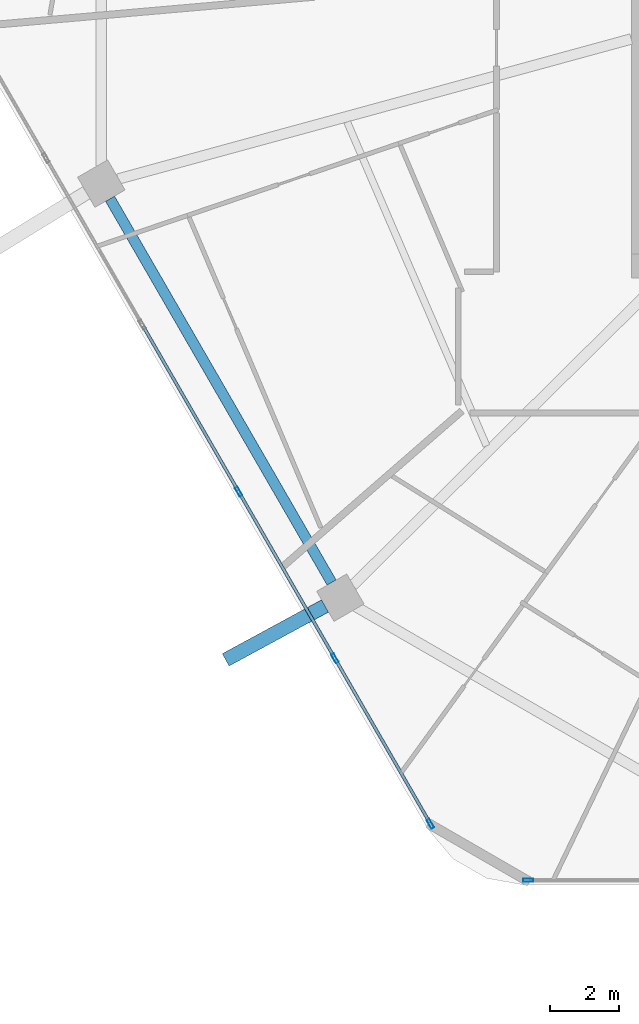
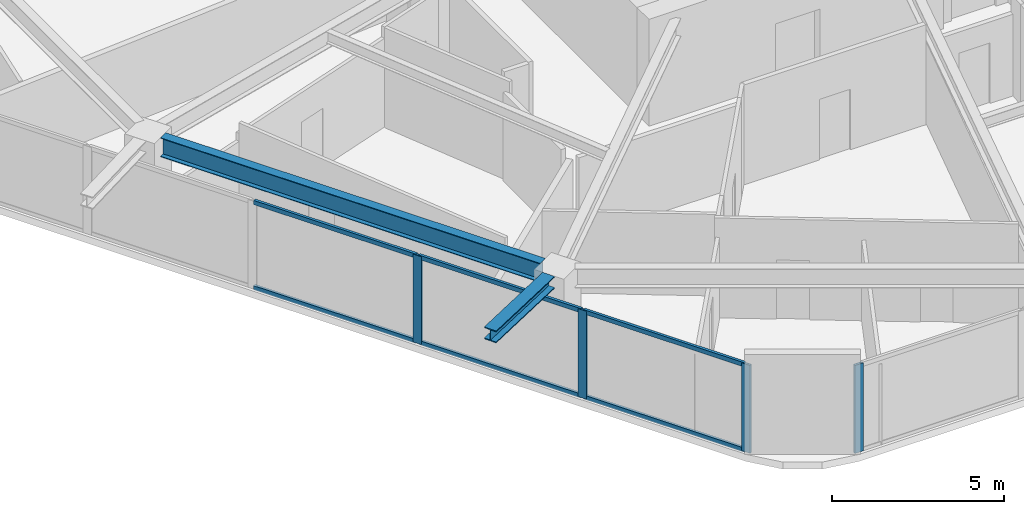
# One storey, part 2 of 26: 10 members, 2 beams, 2 elements without a shape of their own.
"""IFC4 building model written with IfcOpenShell, lengths in metres."""

from ifc_helpers import new_model, si_unit, direction, frame, origin, origin_2d, place, context, subcontext, project, spatial, hollow_rectangle, i_section, extrude, material, material_profile, profile_set, type_object, element, aggregate, save


model = new_model("IFC4")

# Units and contexts
model_context = context("Model", 3, precision=1e-05, world=origin(), true_north=direction((0.0, 1.0)))
body_context = subcontext(model_context, "Body", "Model", "MODEL_VIEW")
ifc_project = project(units=[si_unit("LENGTHUNIT", "METRE"), si_unit("AREAUNIT", "SQUARE_METRE"), si_unit("VOLUMEUNIT", "CUBIC_METRE"), si_unit("PLANEANGLEUNIT", "RADIAN"), si_unit("MASSUNIT", "GRAM", prefix="KILO")], contexts=[model_context])

# Site, building, storey
site_placement = place(None, origin())
site = spatial("IfcSite", under=ifc_project, at=site_placement, CompositionType="ELEMENT")
building_placement = place(site_placement, origin())
building = spatial("IfcBuilding", under=site, at=building_placement, Name="Zuhravey Tower", CompositionType="ELEMENT")
storey_placement = place(building_placement, frame((0.0, 0.0, 165.60009765625)))
storey = spatial("IfcBuildingStorey", under=building, at=storey_placement, Name="L41", CompositionType="ELEMENT", Elevation=165.60009765625)

# Curtain wall, member
ifc_material_1 = material(Name="Thermally broken anodised aluminium", Category="aluminium")
curtain_wall_type = type_object("IfcCurtainWallType", Name="Zone 1-2 Residential Curtain Wall CW3", PredefinedType="NOTDEFINED", material=ifc_material_1)
curtain_wall_1_placement = place(storey_placement, origin())
curtain_wall_1 = element("IfcCurtainWall", 1, at=curtain_wall_1_placement, inside=storey, type_object=curtain_wall_type, Name="L41 CW3 CW-L41-F5-1", PredefinedType="NOTDEFINED")
ifc_material_2 = material(Name="Anodised aluminium", Category="aluminium")
ifc_material_profile_1 = material_profile(ifc_material_2, hollow_rectangle(XDim=0.090087890625, YDim=0.284912109375, WallThickness=0.0048828125, at=origin_2d()), Name="ALU-RHS-90x285x5")
ifc_profile_set_1 = profile_set([ifc_material_profile_1], Name="Anodised aluminium")
member_type_1 = type_object("IfcMemberType", Name="Curtain-Wall Mullion 90x180", PredefinedType="MULLION", material=ifc_profile_set_1)
member_1_placement = place(storey_placement, frame((22.183837890625, 4.81689453125, 0.0), z_axis=(0.0, 0.0, 1.0), x_axis=(0.0, -1.0, 0.0)))
member_1 = element("IfcMember", 2, at=member_1_placement, type_object=member_type_1, Name="CW3 mullion 6", PredefinedType="MULLION", context=body_context, shape_type="SweptSolid", body=[
    extrude(hollow_rectangle(XDim=0.090087890625, YDim=0.284912109375, WallThickness=0.0048828125, at=origin_2d()), origin(), (0.0, 0.0, 1.0), 3.121826171875),
])
aggregate(curtain_wall_1, [member_1])

# Curtain wall, members
curtain_wall_2_placement = place(storey_placement, origin())
curtain_wall_2 = element("IfcCurtainWall", 3, at=curtain_wall_2_placement, inside=storey, type_object=curtain_wall_type, Name="L41 CW3 CW-L41-F4-1", PredefinedType="NOTDEFINED")
member_2_placement = place(storey_placement, frame((19.36669921875, 6.443359375, 0.0), z_axis=(0.0, 0.0, 1.0), x_axis=(-0.866025138215, -0.500000459979, 0.0)))
member_2 = element("IfcMember", 4, at=member_2_placement, type_object=member_type_1, Name="CW3 mullion 1", PredefinedType="MULLION", context=body_context, shape_type="SweptSolid", body=[
    extrude(hollow_rectangle(XDim=0.090087890625, YDim=0.284912109375, WallThickness=0.0048828125, at=origin_2d()), origin(), (0.0, 0.0, 1.0), 3.121826171875),
])
member_3_placement = place(storey_placement, frame((16.6171875, 11.2060546875, 0.0), z_axis=(0.0, 0.0, 1.0), x_axis=(-0.866025138215, -0.500000459979, 0.0)))
member_3 = element("IfcMember", 5, at=member_3_placement, type_object=member_type_1, Name="CW3 mullion 2", PredefinedType="MULLION", context=body_context, shape_type="SweptSolid", body=[
    extrude(hollow_rectangle(XDim=0.090087890625, YDim=0.284912109375, WallThickness=0.0048828125, at=origin_2d()), origin(), (0.0, 0.0, 1.0), 3.121826171875),
])
member_4_placement = place(storey_placement, frame((13.844970703125, 16.007568359375, 0.0), z_axis=(0.0, 0.0, 1.0), x_axis=(-0.866025138215, -0.500000459979, 0.0)))
member_4 = element("IfcMember", 6, at=member_4_placement, type_object=member_type_1, Name="CW3 mullion 3", PredefinedType="MULLION", context=body_context, shape_type="SweptSolid", body=[
    extrude(hollow_rectangle(XDim=0.090087890625, YDim=0.284912109375, WallThickness=0.0048828125, at=origin_2d()), origin(), (0.0, 0.0, 1.0), 3.121826171875),
])
ifc_material_profile_2 = material_profile(ifc_material_2, hollow_rectangle(XDim=0.090087890625, YDim=0.14990234375, WallThickness=0.0048828125, at=origin_2d()), Name="ALU-RHS-90x150x5")
ifc_profile_set_2 = profile_set([ifc_material_profile_2], Name="Anodised aluminium")
member_type_2 = type_object("IfcMemberType", Name="Curtain-Wall Transom 90x150", PredefinedType="USERDEFINED", material=ifc_profile_set_2)
member_5_placement = place(storey_placement, frame((19.34423828125, 6.482421875, 0.044921875), z_axis=(-0.499993332629, 0.866029253159, 0.0), x_axis=(-0.866029253159, -0.499993332629, 0.0)))
member_5 = element("IfcMember", 7, at=member_5_placement, type_object=member_type_2, Name="CW3 transom 1.1", ObjectType="TRANSOM", PredefinedType="USERDEFINED", context=body_context, shape_type="SweptSolid", body=[
    extrude(hollow_rectangle(XDim=0.090087890625, YDim=0.14990234375, WallThickness=0.0048828125, at=origin_2d()), origin(), (0.0, 0.0, 1.0), 5.4091796875),
])
member_6_placement = place(storey_placement, frame((19.34423828125, 6.482421875, 3.076904296875), z_axis=(-0.499993332629, 0.866029253159, 0.0), x_axis=(-0.866029253159, -0.499993332629, 0.0)))
member_6 = element("IfcMember", 8, at=member_6_placement, type_object=member_type_2, Name="CW3 transom 1.2", ObjectType="TRANSOM", PredefinedType="USERDEFINED", context=body_context, shape_type="SweptSolid", body=[
    extrude(hollow_rectangle(XDim=0.090087890625, YDim=0.14990234375, WallThickness=0.0048828125, at=origin_2d()), origin(), (0.0, 0.0, 1.0), 5.4091796875),
])
member_7_placement = place(storey_placement, frame((16.594482421875, 11.244873046875, 0.044921875), z_axis=(-0.49996138257, 0.86604769842, 0.0), x_axis=(-0.86604769842, -0.49996138257, 0.0)))
member_7 = element("IfcMember", 9, at=member_7_placement, type_object=member_type_2, Name="CW3 transom 2.1", ObjectType="TRANSOM", PredefinedType="USERDEFINED", context=body_context, shape_type="SweptSolid", body=[
    extrude(hollow_rectangle(XDim=0.090087890625, YDim=0.14990234375, WallThickness=0.0048828125, at=origin_2d()), origin(), (0.0, 0.0, 1.0), 5.45458984375),
])
member_8_placement = place(storey_placement, frame((16.594482421875, 11.244873046875, 3.076904296875), z_axis=(-0.49996138257, 0.86604769842, 0.0), x_axis=(-0.86604769842, -0.49996138257, 0.0)))
member_8 = element("IfcMember", 10, at=member_8_placement, type_object=member_type_2, Name="CW3 transom 2.2", ObjectType="TRANSOM", PredefinedType="USERDEFINED", context=body_context, shape_type="SweptSolid", body=[
    extrude(hollow_rectangle(XDim=0.090087890625, YDim=0.14990234375, WallThickness=0.0048828125, at=origin_2d()), origin(), (0.0, 0.0, 1.0), 5.45458984375),
])
member_9_placement = place(storey_placement, frame((13.822265625, 16.046630859375, 0.044921875), z_axis=(-0.499980763544, 0.866036509673, 0.0), x_axis=(-0.866036509673, -0.499980763544, 0.0)))
member_9 = element("IfcMember", 11, at=member_9_placement, type_object=member_type_2, Name="CW3 transom 3.1", ObjectType="TRANSOM", PredefinedType="USERDEFINED", context=body_context, shape_type="SweptSolid", body=[
    extrude(hollow_rectangle(XDim=0.090087890625, YDim=0.14990234375, WallThickness=0.0048828125, at=origin_2d()), origin(), (0.0, 0.0, 1.0), 5.454345703125),
])
member_10_placement = place(storey_placement, frame((13.822265625, 16.046630859375, 3.076904296875), z_axis=(-0.499980763544, 0.866036509673, 0.0), x_axis=(-0.866036509673, -0.499980763544, 0.0)))
member_10 = element("IfcMember", 12, at=member_10_placement, type_object=member_type_2, Name="CW3 transom 3.2", ObjectType="TRANSOM", PredefinedType="USERDEFINED", context=body_context, shape_type="SweptSolid", body=[
    extrude(hollow_rectangle(XDim=0.090087890625, YDim=0.14990234375, WallThickness=0.0048828125, at=origin_2d()), origin(), (0.0, 0.0, 1.0), 5.454345703125),
])
aggregate(curtain_wall_2, [member_2, member_3, member_4, member_5, member_6, member_7, member_8, member_9, member_10])

# Beams
ifc_material_3 = material(Name="Steel SM460", Category="steel")
ifc_material_profile_3 = material_profile(ifc_material_3, i_section(OverallWidth=0.406982421875, OverallDepth=0.427978515625, WebThickness=0.02001953125, FlangeThickness=0.034912109375, at=origin_2d()), Name="H-428x407x20x35")
ifc_profile_set_3 = profile_set([ifc_material_profile_3], Name="Steel SM460")
beam_type_1 = type_object("IfcBeamType", Name="Exoskeleton Node Tie Beam H428x407", PredefinedType="BEAM", material=ifc_profile_set_3)
beam_1_placement = place(storey_placement, frame((16.331298828125, 12.713134765625, 3.3359375), z_axis=(-0.87911769022, -0.476604748972, 0.0), x_axis=(0.476604748972, -0.87911769022, 0.0)))
element("IfcBeam", 13, at=beam_1_placement, inside=storey, type_object=beam_type_1, Name="L41 Exoskeleton Node Tie NT1-08", PredefinedType="BEAM", context=body_context, shape_type="SweptSolid", body=[
    extrude(i_section(OverallWidth=0.406982421875, OverallDepth=0.427978515625, WebThickness=0.02001953125, FlangeThickness=0.034912109375, at=origin_2d()), origin(), (0.0, 0.0, 1.0), 3.252197265625),
])
ifc_material_4 = material(Name="Steel SM355", Category="steel")
ifc_material_profile_4 = material_profile(ifc_material_4, i_section(OverallWidth=0.300048828125, OverallDepth=0.679931640625, WebThickness=0.012939453125, FlangeThickness=0.02197265625, at=origin_2d()), Name="H-680x300x13x22")
ifc_profile_set_4 = profile_set([ifc_material_profile_4], Name="Steel SM355")
beam_type_2 = type_object("IfcBeamType", Name="Perimeter Ring Beam H680x300", PredefinedType="BEAM", material=ifc_profile_set_4)
beam_2_placement = place(storey_placement, frame((10.143798828125, 24.43798828125, 3.2099609375), z_axis=(0.499997974489, -0.866026573211, 0.0), x_axis=(0.866026573211, 0.499997974489, 0.0)))
element("IfcBeam", 14, at=beam_2_placement, inside=storey, type_object=beam_type_2, Name="L41 PB2 BM-L41-PB-07", PredefinedType="BEAM", context=body_context, shape_type="SweptSolid", body=[
    extrude(i_section(OverallWidth=0.300048828125, OverallDepth=0.679931640625, WebThickness=0.012939453125, FlangeThickness=0.02197265625, at=origin_2d()), origin(), (0.0, 0.0, 1.0), 12.75830078125),
])

save(model, "model.ifc")
